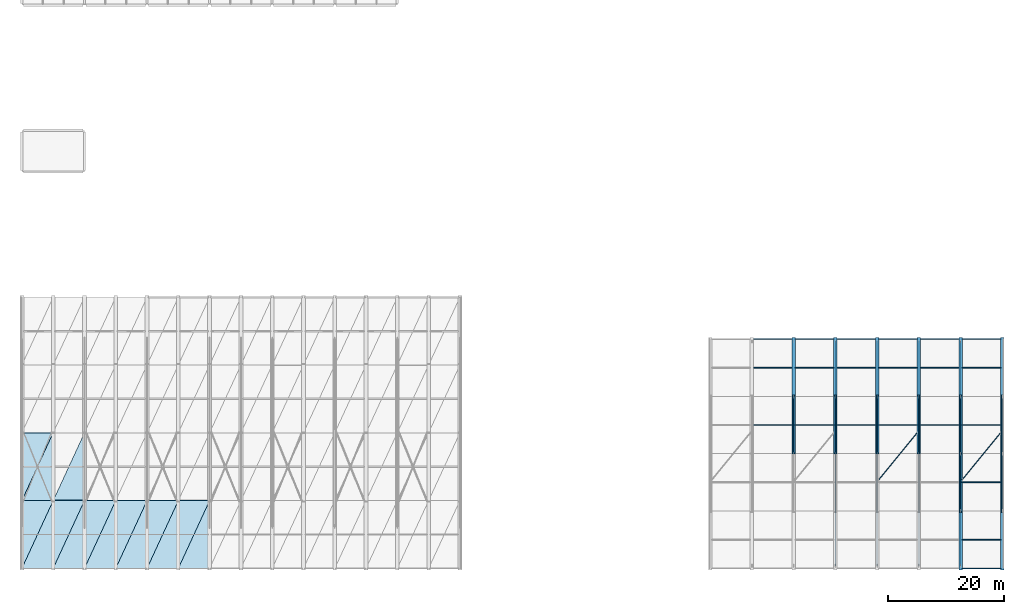
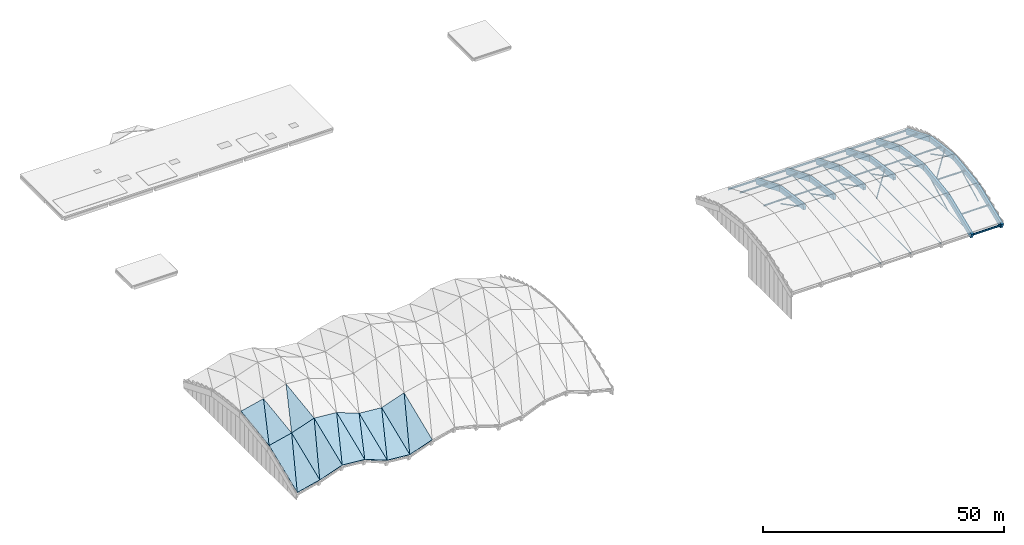
# One storey, part 5 of 22: 28 members, 23 beams, 15 slabs.
"""IFC4 building model written with IfcOpenShell, lengths in metres."""

from ifc_helpers import new_model, si_unit, direction, frame, origin, origin_2d, place, context, subcontext, project, spatial, polyline, rectangle, hollow_rectangle, hollow_circle, i_section, outline, extrude, material, layer, layer_set, material_profile, profile_set, type_object, element, save


model = new_model("IFC4")

# Units and contexts
model_context = context("Model", 3, precision=1e-05, world=origin(), true_north=direction((0.0, 1.0)))
body_context = subcontext(model_context, "Body", "Model", "MODEL_VIEW")
ifc_project = project(units=[si_unit("LENGTHUNIT", "METRE"), si_unit("AREAUNIT", "SQUARE_METRE"), si_unit("VOLUMEUNIT", "CUBIC_METRE"), si_unit("PLANEANGLEUNIT", "RADIAN"), si_unit("MASSUNIT", "GRAM", prefix="KILO")], contexts=[model_context])

# Site, building, storey
site_placement = place(None, origin())
site = spatial("IfcSite", under=ifc_project, at=site_placement, CompositionType="ELEMENT")
building_placement = place(site_placement, origin())
building = spatial("IfcBuilding", under=site, at=building_placement, Name="Lusvemor Sports Hall", CompositionType="ELEMENT")
storey_placement = place(building_placement, frame((0.0, 0.0, 23.39990234375)))
storey = spatial("IfcBuildingStorey", under=building, at=storey_placement, Name="Roof", CompositionType="ELEMENT", Elevation=23.39990234375)

# Beams
ifc_material_1 = material(Name="Concrete C40/50", Category="concrete")
ifc_material_profile_1 = material_profile(ifc_material_1, rectangle(XDim=0.60009765625, YDim=1.300048828125, at=origin_2d()), Name="RC600x1300")
ifc_profile_set_1 = profile_set([ifc_material_profile_1], Name="Concrete C40/50")
beam_type_1 = type_object("IfcBeamType", Name="ARCH_RIB_V2", PredefinedType="T_BEAM", material=ifc_profile_set_1)
beam_1_placement = place(storey_placement, frame((133.199951171875, 19.800048828125, 2.81005859375), z_axis=(0.0, 0.990831952245, -0.13510011995), x_axis=(-1.0, 0.0, 0.0)))
element("IfcBeam", 1, at=beam_1_placement, inside=storey, type_object=beam_type_1, Name="East Vault Arch Rib 15 Seg 3", PredefinedType="T_BEAM", context=body_context, shape_type="SweptSolid", body=[
    extrude(rectangle(XDim=0.60009765625, YDim=1.300048828125, at=origin_2d()), origin(), (0.0, 0.0, 1.0), 9.991455078125),
])
beam_2_placement = place(storey_placement, frame((133.199951171875, 29.699951171875, 1.460205078125), z_axis=(0.0, 0.925547319778, -0.378631956987), x_axis=(-1.0, 0.0, 0.0)))
element("IfcBeam", 2, at=beam_2_placement, inside=storey, type_object=beam_type_1, Name="East Vault Arch Rib 15 Seg 4", PredefinedType="T_BEAM", context=body_context, shape_type="SweptSolid", body=[
    extrude(rectangle(XDim=0.60009765625, YDim=1.300048828125, at=origin_2d()), origin(), (0.0, 0.0, 1.0), 10.696533203125),
])
beam_3_placement = place(storey_placement, frame((140.39990234375, 19.800048828125, 2.81005859375), z_axis=(0.0, 0.990831952245, -0.13510011995), x_axis=(-1.0, 0.0, 0.0)))
element("IfcBeam", 3, at=beam_3_placement, inside=storey, type_object=beam_type_1, Name="East Vault Arch Rib 16 Seg 3", PredefinedType="T_BEAM", context=body_context, shape_type="SweptSolid", body=[
    extrude(rectangle(XDim=0.60009765625, YDim=1.300048828125, at=origin_2d()), origin(), (0.0, 0.0, 1.0), 9.991455078125),
])
beam_4_placement = place(storey_placement, frame((140.39990234375, 29.699951171875, 1.460205078125), z_axis=(0.0, 0.925547319778, -0.378631956987), x_axis=(-1.0, 0.0, 0.0)))
element("IfcBeam", 4, at=beam_4_placement, inside=storey, type_object=beam_type_1, Name="East Vault Arch Rib 16 Seg 4", PredefinedType="T_BEAM", context=body_context, shape_type="SweptSolid", body=[
    extrude(rectangle(XDim=0.60009765625, YDim=1.300048828125, at=origin_2d()), origin(), (0.0, 0.0, 1.0), 10.696533203125),
])
beam_5_placement = place(storey_placement, frame((147.60009765625, 19.800048828125, 2.81005859375), z_axis=(0.0, 0.990831952245, -0.13510011995), x_axis=(-1.0, 0.0, 0.0)))
element("IfcBeam", 5, at=beam_5_placement, inside=storey, type_object=beam_type_1, Name="East Vault Arch Rib 17 Seg 3", PredefinedType="T_BEAM", context=body_context, shape_type="SweptSolid", body=[
    extrude(rectangle(XDim=0.60009765625, YDim=1.300048828125, at=origin_2d()), origin(), (0.0, 0.0, 1.0), 9.991455078125),
])
beam_6_placement = place(storey_placement, frame((147.60009765625, 29.699951171875, 1.460205078125), z_axis=(0.0, 0.925547319778, -0.378631956987), x_axis=(-1.0, 0.0, 0.0)))
element("IfcBeam", 6, at=beam_6_placement, inside=storey, type_object=beam_type_1, Name="East Vault Arch Rib 17 Seg 4", PredefinedType="T_BEAM", context=body_context, shape_type="SweptSolid", body=[
    extrude(rectangle(XDim=0.60009765625, YDim=1.300048828125, at=origin_2d()), origin(), (0.0, 0.0, 1.0), 10.696533203125),
])
beam_7_placement = place(storey_placement, frame((154.800048828125, 19.800048828125, 2.81005859375), z_axis=(0.0, 0.990831952245, -0.13510011995), x_axis=(-1.0, 0.0, 0.0)))
element("IfcBeam", 7, at=beam_7_placement, inside=storey, type_object=beam_type_1, Name="East Vault Arch Rib 18 Seg 3", PredefinedType="T_BEAM", context=body_context, shape_type="SweptSolid", body=[
    extrude(rectangle(XDim=0.60009765625, YDim=1.300048828125, at=origin_2d()), origin(), (0.0, 0.0, 1.0), 9.991455078125),
])
beam_8_placement = place(storey_placement, frame((154.800048828125, 29.699951171875, 1.460205078125), z_axis=(0.0, 0.925547319778, -0.378631956987), x_axis=(-1.0, 0.0, 0.0)))
element("IfcBeam", 8, at=beam_8_placement, inside=storey, type_object=beam_type_1, Name="East Vault Arch Rib 18 Seg 4", PredefinedType="T_BEAM", context=body_context, shape_type="SweptSolid", body=[
    extrude(rectangle(XDim=0.60009765625, YDim=1.300048828125, at=origin_2d()), origin(), (0.0, 0.0, 1.0), 10.696533203125),
])
beam_9_placement = place(storey_placement, frame((162.0, 0.0, -2.58984375), z_axis=(0.0, 0.925544047536, 0.378639955723), x_axis=(-1.0, 0.0, 0.0)))
element("IfcBeam", 9, at=beam_9_placement, inside=storey, type_object=beam_type_1, Name="East Vault Arch Rib 19 Seg 1", PredefinedType="T_BEAM", context=body_context, shape_type="SweptSolid", body=[
    extrude(rectangle(XDim=0.60009765625, YDim=1.300048828125, at=origin_2d()), origin(), (0.0, 0.0, 1.0), 10.6962890625),
])
beam_10_placement = place(storey_placement, frame((162.0, 9.89990234375, 1.460205078125), z_axis=(0.0, 0.990832398214, 0.135096849146), x_axis=(-1.0, 0.0, 0.0)))
element("IfcBeam", 10, at=beam_10_placement, inside=storey, type_object=beam_type_1, Name="East Vault Arch Rib 19 Seg 2", PredefinedType="T_BEAM", context=body_context, shape_type="SweptSolid", body=[
    extrude(rectangle(XDim=0.60009765625, YDim=1.300048828125, at=origin_2d()), origin(), (0.0, 0.0, 1.0), 9.99169921875),
])
beam_11_placement = place(storey_placement, frame((162.0, 19.800048828125, 2.81005859375), z_axis=(0.0, 0.990831952245, -0.13510011995), x_axis=(-1.0, 0.0, 0.0)))
element("IfcBeam", 11, at=beam_11_placement, inside=storey, type_object=beam_type_1, Name="East Vault Arch Rib 19 Seg 3", PredefinedType="T_BEAM", context=body_context, shape_type="SweptSolid", body=[
    extrude(rectangle(XDim=0.60009765625, YDim=1.300048828125, at=origin_2d()), origin(), (0.0, 0.0, 1.0), 9.991455078125),
])
beam_12_placement = place(storey_placement, frame((162.0, 29.699951171875, 1.460205078125), z_axis=(0.0, 0.925547319778, -0.378631956987), x_axis=(-1.0, 0.0, 0.0)))
element("IfcBeam", 12, at=beam_12_placement, inside=storey, type_object=beam_type_1, Name="East Vault Arch Rib 19 Seg 4", PredefinedType="T_BEAM", context=body_context, shape_type="SweptSolid", body=[
    extrude(rectangle(XDim=0.60009765625, YDim=1.300048828125, at=origin_2d()), origin(), (0.0, 0.0, 1.0), 10.696533203125),
])
beam_13_placement = place(storey_placement, frame((169.199951171875, 0.0, -2.58984375), z_axis=(0.0, 0.925544047536, 0.378639955723), x_axis=(-1.0, 0.0, 0.0)))
element("IfcBeam", 13, at=beam_13_placement, inside=storey, type_object=beam_type_1, Name="East Vault Arch Rib 20 Seg 1", PredefinedType="T_BEAM", context=body_context, shape_type="SweptSolid", body=[
    extrude(rectangle(XDim=0.60009765625, YDim=1.300048828125, at=origin_2d()), origin(), (0.0, 0.0, 1.0), 10.6962890625),
])
beam_14_placement = place(storey_placement, frame((169.199951171875, 9.89990234375, 1.460205078125), z_axis=(0.0, 0.990832398214, 0.135096849146), x_axis=(-1.0, 0.0, 0.0)))
element("IfcBeam", 14, at=beam_14_placement, inside=storey, type_object=beam_type_1, Name="East Vault Arch Rib 20 Seg 2", PredefinedType="T_BEAM", context=body_context, shape_type="SweptSolid", body=[
    extrude(rectangle(XDim=0.60009765625, YDim=1.300048828125, at=origin_2d()), origin(), (0.0, 0.0, 1.0), 9.99169921875),
])
beam_15_placement = place(storey_placement, frame((169.199951171875, 19.800048828125, 2.81005859375), z_axis=(0.0, 0.990831952245, -0.13510011995), x_axis=(-1.0, 0.0, 0.0)))
element("IfcBeam", 15, at=beam_15_placement, inside=storey, type_object=beam_type_1, Name="East Vault Arch Rib 20 Seg 3", PredefinedType="T_BEAM", context=body_context, shape_type="SweptSolid", body=[
    extrude(rectangle(XDim=0.60009765625, YDim=1.300048828125, at=origin_2d()), origin(), (0.0, 0.0, 1.0), 9.991455078125),
])
beam_16_placement = place(storey_placement, frame((169.199951171875, 29.699951171875, 1.460205078125), z_axis=(0.0, 0.925547319778, -0.378631956987), x_axis=(-1.0, 0.0, 0.0)))
element("IfcBeam", 16, at=beam_16_placement, inside=storey, type_object=beam_type_1, Name="East Vault Arch Rib 20 Seg 4", PredefinedType="T_BEAM", context=body_context, shape_type="SweptSolid", body=[
    extrude(rectangle(XDim=0.60009765625, YDim=1.300048828125, at=origin_2d()), origin(), (0.0, 0.0, 1.0), 10.696533203125),
])

# Members
ifc_material_2 = material(Name="Steel S355", Category="steel")
ifc_material_profile_2 = material_profile(ifc_material_2, hollow_circle(Radius=0.084228515625, WallThickness=0.008056640625, at=origin_2d()), Name="CHS168.3x8.0")
ifc_profile_set_2 = profile_set([ifc_material_profile_2], Name="Steel S355")
member_type_1 = type_object("IfcMemberType", Name="BRACE_ROOF_168", PredefinedType="BRACE", material=ifc_profile_set_2)
for number, where, z_axis, x_axis, name in (
    (17, (147.889892578125, 15.300048828125, 2.611083984375), (0.632805582188, 0.774251025234, 0.009614836254), (-0.774286815563, 0.632834834096, 0.0), "East Vault Roof Brace 17"),
    (18, (162.2900390625, 15.300048828125, 2.611083984375), (0.632791590025, 0.774262459239, 0.009614978244), (-0.774298251154, 0.632820842151, 0.0), "East Vault Roof Brace 19"),
):
    element("IfcMember", number, at=place(storey_placement, frame(where, z_axis=z_axis, x_axis=x_axis)), inside=storey, type_object=member_type_1, Name=name, PredefinedType="BRACE", context=body_context, shape_type="SweptSolid", body=[
        extrude(hollow_circle(Radius=0.084228515625, WallThickness=0.008056640625, at=origin_2d()), origin(), (0.0, 0.0, 1.0), 10.46142578125),
    ])
ifc_material_3 = material(Name="Steel S355", Category="steel")
ifc_material_profile_3 = material_profile(ifc_material_3, i_section(OverallWidth=0.14599609375, OverallDepth=0.258056640625, WebThickness=0.006103515625, FlangeThickness=0.009033203125, FilletRadius=0.012939453125, at=origin_2d()), Name="W250x32.7")
ifc_profile_set_3 = profile_set([ifc_material_profile_3], Name="Steel S355")
member_type_2 = type_object("IfcMemberType", Name="PURL_V2_250", PredefinedType="PURLIN", material=ifc_profile_set_3)
for number, where, z_axis, x_axis, name in (
    (19, (126.2900390625, 24.75, 2.61669921875), (1.0, 0.0, 0.0), (0.0, 1.0, 0.0), "East Vault Purlin 14-3"),
    (20, (126.2900390625, 34.64990234375, -0.128662109375), (1.0, 0.0, 0.0), (0.0, 1.0, 0.0), "East Vault Purlin 14-4"),
):
    element("IfcMember", number, at=place(storey_placement, frame(where, z_axis=z_axis, x_axis=x_axis)), inside=storey, type_object=member_type_2, Name=name, PredefinedType="PURLIN", context=body_context, shape_type="SweptSolid", body=[
        extrude(i_section(OverallWidth=0.14599609375, OverallDepth=0.258056640625, WebThickness=0.006103515625, FlangeThickness=0.009033203125, FilletRadius=0.012939453125, at=origin_2d()), origin(), (0.0, 0.0, 1.0), 6.619873046875),
    ])
for number, where, z_axis, x_axis, name in (
    (21, (133.489990234375, 24.75, 2.61669921875), (1.0, 0.0, 0.0), (0.0, 1.0, 0.0), "East Vault Purlin 15-3"),
    (22, (133.489990234375, 34.64990234375, -0.128662109375), (1.0, 0.0, 0.0), (0.0, 1.0, 0.0), "East Vault Purlin 15-4"),
    (23, (140.68994140625, 24.75, 2.61669921875), (1.0, 0.0, 0.0), (0.0, 1.0, 0.0), "East Vault Purlin 16-3"),
    (24, (140.68994140625, 34.64990234375, -0.128662109375), (1.0, 0.0, 0.0), (0.0, 1.0, 0.0), "East Vault Purlin 16-4"),
    (25, (147.889892578125, 24.75, 2.61669921875), (1.0, 0.0, 0.0), (0.0, 1.0, 0.0), "East Vault Purlin 17-3"),
    (26, (147.889892578125, 34.64990234375, -0.128662109375), (1.0, 0.0, 0.0), (0.0, 1.0, 0.0), "East Vault Purlin 17-4"),
):
    element("IfcMember", number, at=place(storey_placement, frame(where, z_axis=z_axis, x_axis=x_axis)), inside=storey, type_object=member_type_2, Name=name, PredefinedType="PURLIN", context=body_context, shape_type="SweptSolid", body=[
        extrude(i_section(OverallWidth=0.14599609375, OverallDepth=0.258056640625, WebThickness=0.006103515625, FlangeThickness=0.009033203125, FilletRadius=0.012939453125, at=origin_2d()), origin(), (0.0, 0.0, 1.0), 6.6201171875),
    ])
for number, where, z_axis, x_axis, name in (
    (27, (155.090087890625, 24.75, 2.61669921875), (1.0, 0.0, 0.0), (0.0, 1.0, 0.0), "East Vault Purlin 18-3"),
    (28, (155.090087890625, 34.64990234375, -0.128662109375), (1.0, 0.0, 0.0), (0.0, 1.0, 0.0), "East Vault Purlin 18-4"),
    (29, (162.2900390625, 4.949951171875, -0.128662109375), (1.0, 0.0, 0.0), (0.0, 1.0, 0.0), "East Vault Purlin 19-1"),
    (30, (162.2900390625, 14.85009765625, 2.61669921875), (1.0, 0.0, 0.0), (0.0, 1.0, 0.0), "East Vault Purlin 19-2"),
    (31, (162.2900390625, 24.75, 2.61669921875), (1.0, 0.0, 0.0), (0.0, 1.0, 0.0), "East Vault Purlin 19-3"),
    (32, (162.2900390625, 34.64990234375, -0.128662109375), (1.0, 0.0, 0.0), (0.0, 1.0, 0.0), "East Vault Purlin 19-4"),
):
    element("IfcMember", number, at=place(storey_placement, frame(where, z_axis=z_axis, x_axis=x_axis)), inside=storey, type_object=member_type_2, Name=name, PredefinedType="PURLIN", context=body_context, shape_type="SweptSolid", body=[
        extrude(i_section(OverallWidth=0.14599609375, OverallDepth=0.258056640625, WebThickness=0.006103515625, FlangeThickness=0.009033203125, FilletRadius=0.012939453125, at=origin_2d()), origin(), (0.0, 0.0, 1.0), 6.619873046875),
    ])

# Beams
ifc_material_4 = material(Name="Steel S355", Category="steel")
ifc_material_profile_4 = material_profile(ifc_material_4, i_section(OverallWidth=0.19189453125, OverallDepth=0.462890625, WebThickness=0.010498046875, FlangeThickness=0.017578125, FilletRadius=0.01806640625, at=origin_2d()), Name="W460x89.0")
ifc_profile_set_4 = profile_set([ifc_material_profile_4], Name="Steel S355")
beam_type_2 = type_object("IfcBeamType", Name="SPAND_WAVE_EAVE", PredefinedType="SPANDREL", material=ifc_profile_set_4)
for number, where, z_axis, x_axis, name in (
    (33, (126.25, 39.60009765625, -2.267578125), (1.0, 0.0, 0.0), (0.0, 1.0, 0.0), "East Vault Eave Spandrel N-14"),
    (34, (133.449951171875, 39.60009765625, -2.267578125), (1.0, 0.0, 0.0), (0.0, 1.0, 0.0), "East Vault Eave Spandrel N-15"),
):
    element("IfcBeam", number, at=place(storey_placement, frame(where, z_axis=z_axis, x_axis=x_axis)), inside=storey, type_object=beam_type_2, Name=name, PredefinedType="SPANDREL", context=body_context, shape_type="SweptSolid", body=[
        extrude(i_section(OverallWidth=0.19189453125, OverallDepth=0.462890625, WebThickness=0.010498046875, FlangeThickness=0.017578125, FilletRadius=0.01806640625, at=origin_2d()), origin(), (0.0, 0.0, 1.0), 6.699951171875),
    ])
beam_17_placement = place(storey_placement, frame((140.64990234375, 39.60009765625, -2.267578125), z_axis=(1.0, 0.0, 0.0), x_axis=(0.0, 1.0, 0.0)))
element("IfcBeam", 35, at=beam_17_placement, inside=storey, type_object=beam_type_2, Name="East Vault Eave Spandrel N-16", PredefinedType="SPANDREL", context=body_context, shape_type="SweptSolid", body=[
    extrude(i_section(OverallWidth=0.19189453125, OverallDepth=0.462890625, WebThickness=0.010498046875, FlangeThickness=0.017578125, FilletRadius=0.01806640625, at=origin_2d()), origin(), (0.0, 0.0, 1.0), 6.7001953125),
])
for number, where, z_axis, x_axis, name in (
    (36, (147.85009765625, 39.60009765625, -2.267578125), (1.0, 0.0, 0.0), (0.0, 1.0, 0.0), "East Vault Eave Spandrel N-17"),
    (37, (155.050048828125, 39.60009765625, -2.267578125), (1.0, 0.0, 0.0), (0.0, 1.0, 0.0), "East Vault Eave Spandrel N-18"),
    (38, (162.25, 0.0, -2.267578125), (1.0, 0.0, 0.0), (0.0, 1.0, 0.0), "East Vault Eave Spandrel S-19"),
    (39, (162.25, 39.60009765625, -2.267578125), (1.0, 0.0, 0.0), (0.0, 1.0, 0.0), "East Vault Eave Spandrel N-19"),
):
    element("IfcBeam", number, at=place(storey_placement, frame(where, z_axis=z_axis, x_axis=x_axis)), inside=storey, type_object=beam_type_2, Name=name, PredefinedType="SPANDREL", context=body_context, shape_type="SweptSolid", body=[
        extrude(i_section(OverallWidth=0.19189453125, OverallDepth=0.462890625, WebThickness=0.010498046875, FlangeThickness=0.017578125, FilletRadius=0.01806640625, at=origin_2d()), origin(), (0.0, 0.0, 1.0), 6.699951171875),
    ])

# Members
ifc_material_5 = material(Name="Steel S355", Category="steel")
ifc_material_profile_5 = material_profile(ifc_material_5, hollow_rectangle(XDim=0.10009765625, YDim=0.199951171875, WallThickness=0.008056640625, InnerFilletRadius=0.008056640625, OuterFilletRadius=0.01611328125, at=origin_2d()), Name="RHS200x100x8")
ifc_profile_set_5 = profile_set([ifc_material_profile_5], Name="Steel S355")
member_type_3 = type_object("IfcMemberType", Name="STRUT_VAULT_200", PredefinedType="STRUT", material=ifc_profile_set_5)
member_1_placement = place(storey_placement, frame((133.199951171875, 29.64990234375, -2.309814453125), z_axis=(0.0, -0.886327612659, 0.463058703664), x_axis=(1.0, 0.0, 0.0)))
element("IfcMember", 40, at=member_1_placement, inside=storey, type_object=member_type_3, Name="East Vault Arch Crown Strut 15-R", PredefinedType="STRUT", context=body_context, shape_type="SweptSolid", body=[
    extrude(hollow_rectangle(XDim=0.10009765625, YDim=0.199951171875, WallThickness=0.008056640625, InnerFilletRadius=0.008056640625, OuterFilletRadius=0.01611328125, at=origin_2d()), origin(), (0.0, 0.0, 1.0), 11.056640625),
])
member_2_placement = place(storey_placement, frame((140.39990234375, 0.43994140625, -2.309814453125), z_axis=(0.0, 1.0, 0.0), x_axis=(-1.0, 0.0, 0.0)))
element("IfcMember", 41, at=member_2_placement, inside=storey, type_object=member_type_3, Name="East Vault Arch Tie 16", PredefinedType="STRUT", context=body_context, shape_type="SweptSolid", body=[
    extrude(hollow_rectangle(XDim=0.10009765625, YDim=0.199951171875, WallThickness=0.008056640625, InnerFilletRadius=0.008056640625, OuterFilletRadius=0.01611328125, at=origin_2d()), origin(), (0.0, 0.0, 1.0), 38.719970703125),
])
member_3_placement = place(storey_placement, frame((140.39990234375, 29.64990234375, -2.309814453125), z_axis=(0.0, -0.886327612659, 0.463058703664), x_axis=(1.0, 0.0, 0.0)))
element("IfcMember", 42, at=member_3_placement, inside=storey, type_object=member_type_3, Name="East Vault Arch Crown Strut 16-R", PredefinedType="STRUT", context=body_context, shape_type="SweptSolid", body=[
    extrude(hollow_rectangle(XDim=0.10009765625, YDim=0.199951171875, WallThickness=0.008056640625, InnerFilletRadius=0.008056640625, OuterFilletRadius=0.01611328125, at=origin_2d()), origin(), (0.0, 0.0, 1.0), 11.056640625),
])
member_4_placement = place(storey_placement, frame((147.60009765625, 0.43994140625, -2.309814453125), z_axis=(0.0, 1.0, 0.0), x_axis=(-1.0, 0.0, 0.0)))
element("IfcMember", 43, at=member_4_placement, inside=storey, type_object=member_type_3, Name="East Vault Arch Tie 17", PredefinedType="STRUT", context=body_context, shape_type="SweptSolid", body=[
    extrude(hollow_rectangle(XDim=0.10009765625, YDim=0.199951171875, WallThickness=0.008056640625, InnerFilletRadius=0.008056640625, OuterFilletRadius=0.01611328125, at=origin_2d()), origin(), (0.0, 0.0, 1.0), 38.719970703125),
])
member_5_placement = place(storey_placement, frame((147.60009765625, 29.64990234375, -2.309814453125), z_axis=(0.0, -0.886327612659, 0.463058703664), x_axis=(1.0, 0.0, 0.0)))
element("IfcMember", 44, at=member_5_placement, inside=storey, type_object=member_type_3, Name="East Vault Arch Crown Strut 17-R", PredefinedType="STRUT", context=body_context, shape_type="SweptSolid", body=[
    extrude(hollow_rectangle(XDim=0.10009765625, YDim=0.199951171875, WallThickness=0.008056640625, InnerFilletRadius=0.008056640625, OuterFilletRadius=0.01611328125, at=origin_2d()), origin(), (0.0, 0.0, 1.0), 11.056640625),
])
member_6_placement = place(storey_placement, frame((154.800048828125, 0.43994140625, -2.309814453125), z_axis=(0.0, 1.0, 0.0), x_axis=(-1.0, 0.0, 0.0)))
element("IfcMember", 45, at=member_6_placement, inside=storey, type_object=member_type_3, Name="East Vault Arch Tie 18", PredefinedType="STRUT", context=body_context, shape_type="SweptSolid", body=[
    extrude(hollow_rectangle(XDim=0.10009765625, YDim=0.199951171875, WallThickness=0.008056640625, InnerFilletRadius=0.008056640625, OuterFilletRadius=0.01611328125, at=origin_2d()), origin(), (0.0, 0.0, 1.0), 38.719970703125),
])
member_7_placement = place(storey_placement, frame((154.800048828125, 29.64990234375, -2.309814453125), z_axis=(0.0, -0.886327612659, 0.463058703664), x_axis=(1.0, 0.0, 0.0)))
element("IfcMember", 46, at=member_7_placement, inside=storey, type_object=member_type_3, Name="East Vault Arch Crown Strut 18-R", PredefinedType="STRUT", context=body_context, shape_type="SweptSolid", body=[
    extrude(hollow_rectangle(XDim=0.10009765625, YDim=0.199951171875, WallThickness=0.008056640625, InnerFilletRadius=0.008056640625, OuterFilletRadius=0.01611328125, at=origin_2d()), origin(), (0.0, 0.0, 1.0), 11.056640625),
])
member_8_placement = place(storey_placement, frame((162.0, 0.43994140625, -2.309814453125), z_axis=(0.0, 1.0, 0.0), x_axis=(-1.0, 0.0, 0.0)))
element("IfcMember", 47, at=member_8_placement, inside=storey, type_object=member_type_3, Name="East Vault Arch Tie 19", PredefinedType="STRUT", context=body_context, shape_type="SweptSolid", body=[
    extrude(hollow_rectangle(XDim=0.10009765625, YDim=0.199951171875, WallThickness=0.008056640625, InnerFilletRadius=0.008056640625, OuterFilletRadius=0.01611328125, at=origin_2d()), origin(), (0.0, 0.0, 1.0), 38.719970703125),
])
member_9_placement = place(storey_placement, frame((162.0, 9.949951171875, -2.309814453125), z_axis=(0.0, 0.886332347182, 0.463049641333), x_axis=(-1.0, 0.0, 0.0)))
element("IfcMember", 48, at=member_9_placement, inside=storey, type_object=member_type_3, Name="East Vault Arch Crown Strut 19-L", PredefinedType="STRUT", context=body_context, shape_type="SweptSolid", body=[
    extrude(hollow_rectangle(XDim=0.10009765625, YDim=0.199951171875, WallThickness=0.008056640625, InnerFilletRadius=0.008056640625, OuterFilletRadius=0.01611328125, at=origin_2d()), origin(), (0.0, 0.0, 1.0), 11.056884765625),
])
member_10_placement = place(storey_placement, frame((162.0, 29.64990234375, -2.309814453125), z_axis=(0.0, -0.886327612659, 0.463058703664), x_axis=(1.0, 0.0, 0.0)))
element("IfcMember", 49, at=member_10_placement, inside=storey, type_object=member_type_3, Name="East Vault Arch Crown Strut 19-R", PredefinedType="STRUT", context=body_context, shape_type="SweptSolid", body=[
    extrude(hollow_rectangle(XDim=0.10009765625, YDim=0.199951171875, WallThickness=0.008056640625, InnerFilletRadius=0.008056640625, OuterFilletRadius=0.01611328125, at=origin_2d()), origin(), (0.0, 0.0, 1.0), 11.056640625),
])
member_11_placement = place(storey_placement, frame((169.199951171875, 9.949951171875, -2.294921875), z_axis=(0.0, 0.886884852218, 0.461990539844), x_axis=(-1.0, 0.0, 0.0)))
element("IfcMember", 50, at=member_11_placement, inside=storey, type_object=member_type_3, Name="East Vault Arch Crown Strut 20-L", PredefinedType="STRUT", context=body_context, shape_type="SweptSolid", body=[
    extrude(hollow_rectangle(XDim=0.10009765625, YDim=0.199951171875, WallThickness=0.008056640625, InnerFilletRadius=0.008056640625, OuterFilletRadius=0.01611328125, at=origin_2d()), origin(), (0.0, 0.0, 1.0), 11.050048828125),
])
member_12_placement = place(storey_placement, frame((169.199951171875, 29.64990234375, -2.294921875), z_axis=(0.0, -0.88688013639, 0.461999592723), x_axis=(1.0, 0.0, 0.0)))
element("IfcMember", 51, at=member_12_placement, inside=storey, type_object=member_type_3, Name="East Vault Arch Crown Strut 20-R", PredefinedType="STRUT", context=body_context, shape_type="SweptSolid", body=[
    extrude(hollow_rectangle(XDim=0.10009765625, YDim=0.199951171875, WallThickness=0.008056640625, InnerFilletRadius=0.008056640625, OuterFilletRadius=0.01611328125, at=origin_2d()), origin(), (0.0, 0.0, 1.0), 11.0498046875),
])

# Slabs
ifc_material_6 = material(Name="Concrete C40/50", Category="concrete")
ifc_layer_1 = layer(ifc_material_6, 0.2099609375)
ifc_layer_set_1 = layer_set([ifc_layer_1], Name="Concrete C40/50")
slab_type_1 = type_object("IfcSlabType", Name="ROOF_WAVE_210", PredefinedType="ROOF", material=ifc_layer_set_1)
slab_1_placement = place(storey_placement, frame((0.0, 11.699951171875, -6.137451171875), z_axis=(-0.230438270193, -0.132445429119, 0.964031333483), x_axis=(0.972599645813, 0.0, 0.232486405978)))
element("IfcSlab", 52, at=slab_1_placement, inside=storey, type_object=slab_type_1, Name="Wave Barrel-Vault Roof Facet 01-2A", PredefinedType="ROOF", context=body_context, shape_type="SweptSolid", body=[
    extrude(outline(polyline([(0.0, 0.0), (5.5520299302968805, -2.7755575615628914e-17), (5.925733664905468, 11.803940360202912), (0.0, 0.0)])), origin(), (0.0, 0.0, -1.0), 0.2099609375),
])
slab_2_placement = place(storey_placement, frame((0.0, 11.699951171875, -6.137451171875), z_axis=(-0.230396384325, -0.132466522767, 0.964038446555), x_axis=(0.408840344441, 0.885833069294, 0.219429592588)))
element("IfcSlab", 53, at=slab_2_placement, inside=storey, type_object=slab_type_1, Name="Wave Barrel-Vault Roof Facet 01-2B", PredefinedType="ROOF", context=body_context, shape_type="SweptSolid", body=[
    extrude(outline(polyline([(0.0, 0.0), (13.207850979422098, 0.0), (10.716973155994056, 4.961847822712579), (0.0, 0.0)])), origin(), (0.0, 0.0, -1.0), 0.2099609375),
])
slab_3_placement = place(storey_placement, frame((5.39990234375, 11.699951171875, -4.8466796875), z_axis=(-0.323721555088, -0.128779407177, 0.937347437751), x_axis=(0.945218017812, 0.0, 0.326439732269)))
element("IfcSlab", 54, at=slab_3_placement, inside=storey, type_object=slab_type_1, Name="Wave Barrel-Vault Roof Facet 02-2A", PredefinedType="ROOF", context=body_context, shape_type="SweptSolid", body=[
    extrude(outline(polyline([(0.0, 0.0), (5.713122668648188, 2.7755575615628914e-17), (6.237849035166953, 11.798191588068391), (0.0, 0.0)])), origin(), (0.0, 0.0, -1.0), 0.2099609375),
])
ifc_material_7 = material(Name="Concrete C40/50", Category="concrete")
ifc_layer_2 = layer(ifc_material_7, 0.195068359375)
ifc_layer_set_2 = layer_set([ifc_layer_2], Name="Concrete C40/50")
slab_type_2 = type_object("IfcSlabType", Name="ROOF_WAVE_EAVE_195", PredefinedType="ROOF", material=ifc_layer_set_2)
slab_4_placement = place(storey_placement, frame((0.0, 0.0, -10.9599609375), z_axis=(-0.215792060613, -0.372101201165, 0.902759371409), x_axis=(0.972599645813, 0.0, 0.232486405978)))
element("IfcSlab", 55, at=slab_4_placement, inside=storey, type_object=slab_type_2, Name="Wave Barrel-Vault Roof Facet 01-1A", PredefinedType="ROOF", context=body_context, shape_type="SweptSolid", body=[
    extrude(outline(polyline([(0.0, 0.0), (5.5520299302968805, 0.0), (6.6731978934991005, 12.605095805351768), (0.0, 0.0)])), origin(), (0.0, 0.0, -1.0), 0.195068359375),
])
slab_5_placement = place(storey_placement, frame((0.0, 0.0, -10.9599609375), z_axis=(-0.215792060613, -0.372101201165, 0.902759371409), x_axis=(0.378607375196, 0.820327391335, 0.428625041817)))
element("IfcSlab", 56, at=slab_5_placement, inside=storey, type_object=slab_type_2, Name="Wave Barrel-Vault Roof Facet 01-1B", PredefinedType="ROOF", context=body_context, shape_type="SweptSolid", body=[
    extrude(outline(polyline([(0.0, 0.0), (14.262538707673944, 2.220446049250313e-16), (11.664838873522644, 4.906831148364767), (0.0, 0.0)])), origin(), (0.0, 0.0, -1.0), 0.195068359375),
])
slab_6_placement = place(storey_placement, frame((5.39990234375, 0.0, -9.669189453125), z_axis=(-0.304170036605, -0.363023278915, 0.880735310861), x_axis=(0.945218017812, 0.0, 0.326439732269)))
element("IfcSlab", 57, at=slab_6_placement, inside=storey, type_object=slab_type_2, Name="Wave Barrel-Vault Roof Facet 02-1A", PredefinedType="ROOF", context=body_context, shape_type="SweptSolid", body=[
    extrude(outline(polyline([(0.0, 0.0), (5.713122668648188, 0.0), (7.287381465404744, 12.556558728594485), (0.0, 0.0)])), origin(), (0.0, 0.0, -1.0), 0.195068359375),
])
slab_7_placement = place(storey_placement, frame((5.39990234375, 0.0, -9.669189453125), z_axis=(-0.304170036605, -0.363023278915, 0.880735310861), x_axis=(0.371961468404, 0.805891290308, 0.460634230414)))
element("IfcSlab", 58, at=slab_7_placement, inside=storey, type_object=slab_type_2, Name="Wave Barrel-Vault Roof Facet 02-1B", PredefinedType="ROOF", context=body_context, shape_type="SweptSolid", body=[
    extrude(outline(polyline([(0.0, 0.0), (14.518026578256661, -1.1102230246251565e-16), (11.650301820992173, 4.941247346935197), (0.0, 0.0)])), origin(), (0.0, 0.0, -1.0), 0.195068359375),
])
slab_8_placement = place(storey_placement, frame((10.800048828125, 0.0, -7.80419921875), z_axis=(0.078633200823, -0.379899720775, 0.921679457232), x_axis=(0.996380411873, 0.0, -0.085006322326)))
element("IfcSlab", 59, at=slab_8_placement, inside=storey, type_object=slab_type_2, Name="Wave Barrel-Vault Roof Facet 03-1A", PredefinedType="ROOF", context=body_context, shape_type="SweptSolid", body=[
    extrude(outline(polyline([(0.0, 0.0), (5.419518769541163, 0.0), (5.009574949984538, 12.648217420989214), (0.0, 0.0)])), origin(), (0.0, 0.0, -1.0), 0.195068359375),
])
slab_9_placement = place(storey_placement, frame((10.800048828125, 0.0, -7.80419921875), z_axis=(0.078633200823, -0.379899720775, 0.921679457232), x_axis=(0.396930147683, 0.860027283995, 0.320623655778)))
element("IfcSlab", 60, at=slab_9_placement, inside=storey, type_object=slab_type_2, Name="Wave Barrel-Vault Roof Facet 03-1B", PredefinedType="ROOF", context=body_context, shape_type="SweptSolid", body=[
    extrude(outline(polyline([(0.0, 0.0), (13.604162786005157, 1.2212453270876722e-15), (11.608487940303252, 5.0386968160072545), (0.0, 0.0)])), origin(), (0.0, 0.0, -1.0), 0.195068359375),
])
slab_10_placement = place(storey_placement, frame((16.199951171875, 0.0, -8.264892578125), z_axis=(0.334050869435, -0.359188584935, 0.871431911903), x_axis=(0.933745411849, 0.0, -0.35793785194)))
element("IfcSlab", 61, at=slab_10_placement, inside=storey, type_object=slab_type_2, Name="Wave Barrel-Vault Roof Facet 04-1A", PredefinedType="ROOF", context=body_context, shape_type="SweptSolid", body=[
    extrude(outline(polyline([(0.0, 0.0), (5.783317825019924, 0.0), (4.057159038551558, 12.536579824964454), (0.0, 0.0)])), origin(), (0.0, 0.0, -1.0), 0.195068359375),
])
slab_11_placement = place(storey_placement, frame((16.199951171875, 0.0, -8.264892578125), z_axis=(0.334050869435, -0.359188584935, 0.871431911903), x_axis=(0.409824288818, 0.887924833538, 0.208886433932)))
element("IfcSlab", 62, at=slab_11_placement, inside=storey, type_object=slab_type_2, Name="Wave Barrel-Vault Roof Facet 04-1B", PredefinedType="ROOF", context=body_context, shape_type="SweptSolid", body=[
    extrude(outline(polyline([(0.0, 0.0), (13.176736059123533, -1.1102230246251565e-15), (11.39603406423538, 5.502350903985908), (0.0, 0.0)])), origin(), (0.0, 0.0, -1.0), 0.195068359375),
])
slab_12_placement = place(storey_placement, frame((21.60009765625, 0.0, -10.3349609375), z_axis=(0.078591787266, -0.379900965278, 0.921682476537), x_axis=(0.996384226422, 0.0, -0.084961599197)))
element("IfcSlab", 63, at=slab_12_placement, inside=storey, type_object=slab_type_2, Name="Wave Barrel-Vault Roof Facet 05-1A", PredefinedType="ROOF", context=body_context, shape_type="SweptSolid", body=[
    extrude(outline(polyline([(0.0, 0.0), (5.419498021503858, 2.7755575615628914e-17), (5.0097698796749395, 12.648224409520932), (0.0, 0.0)])), origin(), (0.0, 0.0, -1.0), 0.195068359375),
])
slab_13_placement = place(storey_placement, frame((21.60009765625, 0.0, -10.3349609375), z_axis=(0.078591787266, -0.379900965278, 0.921682476537), x_axis=(0.396927863734, 0.860022335371, 0.32063975682)))
element("IfcSlab", 64, at=slab_13_placement, inside=storey, type_object=slab_type_2, Name="Wave Barrel-Vault Roof Facet 05-1B", PredefinedType="ROOF", context=body_context, shape_type="SweptSolid", body=[
    extrude(outline(polyline([(0.0, 0.0), (13.604241065230333, 5.551115123125783e-16), (11.608507689079058, 5.038651317207817), (0.0, 0.0)])), origin(), (0.0, 0.0, -1.0), 0.195068359375),
])
slab_14_placement = place(storey_placement, frame((27.0, 0.0, -10.79541015625), z_axis=(-0.304182516335, -0.363021760367, 0.880731626692), x_axis=(0.945213463751, 0.0, 0.326452918419)))
element("IfcSlab", 65, at=slab_14_placement, inside=storey, type_object=slab_type_2, Name="Wave Barrel-Vault Roof Facet 06-1A", PredefinedType="ROOF", context=body_context, shape_type="SweptSolid", body=[
    extrude(outline(polyline([(0.0, 0.0), (5.712891903086462, 0.0), (7.287214290178998, 12.556550755892598), (0.0, 0.0)])), origin(), (0.0, 0.0, -1.0), 0.195068359375),
])
slab_15_placement = place(storey_placement, frame((27.0, 0.0, -10.79541015625), z_axis=(-0.304182516335, -0.363021760367, 0.880731626692), x_axis=(0.371946978525, 0.805896331127, 0.460637111663)))
element("IfcSlab", 66, at=slab_15_placement, inside=storey, type_object=slab_type_2, Name="Wave Barrel-Vault Roof Facet 06-1B", PredefinedType="ROOF", context=body_context, shape_type="SweptSolid", body=[
    extrude(outline(polyline([(0.0, 0.0), (14.51793576912007, -8.881784197001252e-16), (11.650374693187384, 4.941075527873121), (0.0, 0.0)])), origin(), (0.0, 0.0, -1.0), 0.195068359375),
])

save(model, "model.ifc")
